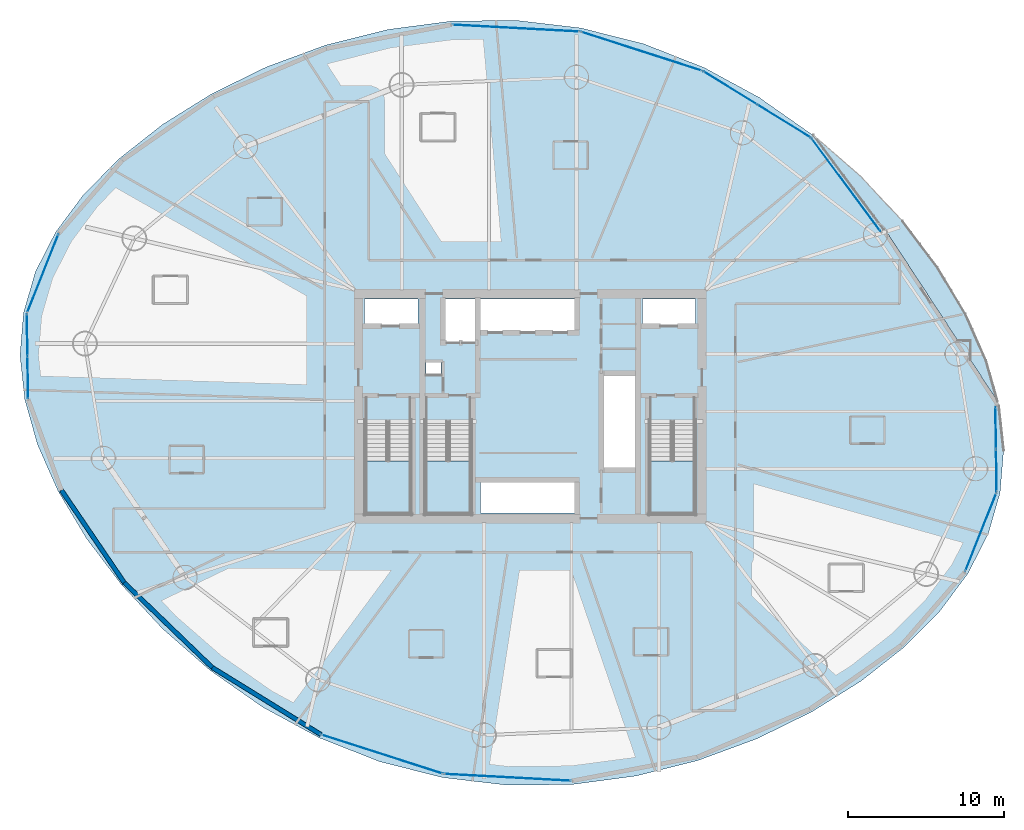
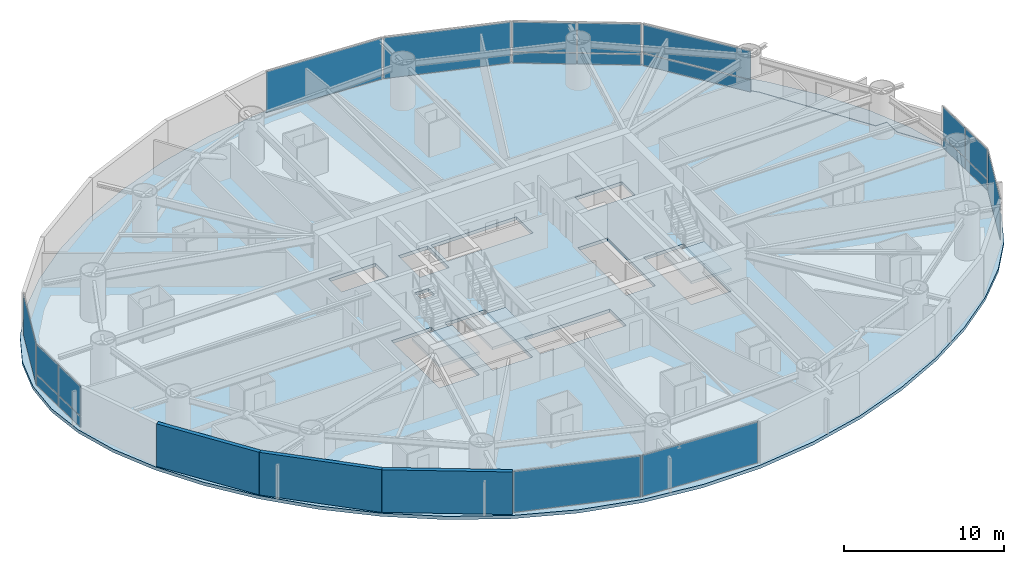
# One storey, part 18 of 26: 20 plates, 5 slabs, 3 walls, 13 elements without a shape of their own.
"""IFC4 building model written with IfcOpenShell, lengths in metres."""

from ifc_helpers import new_model, si_unit, direction, frame, frame_2d, origin, origin_2d, place, context, subcontext, project, spatial, polyline, rectangle, outline, extrude, material, layer, layer_set, type_object, element, aggregate, save


model = new_model("IFC4")

# Units and contexts
model_context = context("Model", 3, precision=1e-05, world=origin(), true_north=direction((0.0, 1.0)))
body_context = subcontext(model_context, "Body", "Model", "MODEL_VIEW")
ifc_project = project(units=[si_unit("LENGTHUNIT", "METRE"), si_unit("AREAUNIT", "SQUARE_METRE"), si_unit("VOLUMEUNIT", "CUBIC_METRE"), si_unit("PLANEANGLEUNIT", "RADIAN"), si_unit("MASSUNIT", "GRAM", prefix="KILO")], contexts=[model_context])

# Site, building, storey
site_placement = place(None, origin())
site = spatial("IfcSite", under=ifc_project, at=site_placement, CompositionType="ELEMENT")
building_placement = place(site_placement, origin())
building = spatial("IfcBuilding", under=site, at=building_placement, Name="Bramvorn Convention Spire", CompositionType="ELEMENT")
storey_placement = place(building_placement, frame((0.0, 0.0, 76.39990234375)))
storey = spatial("IfcBuildingStorey", under=building, at=storey_placement, Name="L17", CompositionType="ELEMENT", Elevation=76.39990234375)

# Curtain wall, plates
ifc_material_1 = material(Name="Anodised Bronze Unitised Curtain Wall", Category="aluminium")
ifc_layer_1 = layer(ifc_material_1, 0.179931640625)
ifc_layer_set_1 = layer_set([ifc_layer_1], Name="Anodised Bronze Unitised Curtain Wall - CW-HTL-FRIT")
curtain_wall_type_1 = type_object("IfcCurtainWallType", Name="CW-HTL-FRIT", PredefinedType="USERDEFINED", material=ifc_layer_set_1)
curtain_wall_1_placement = place(storey_placement, origin())
curtain_wall_1 = element("IfcCurtainWall", 1, at=curtain_wall_1_placement, inside=storey, type_object=curtain_wall_type_1, Name="L17 fritted glass curtain wall 01", ObjectType="UNITISED CURTAIN WALL", PredefinedType="USERDEFINED")
ifc_material_2 = material(Name="Laminated Low-E Glass (Triple IGU Bronze Ceramic Frit 35%)", Category="glass")
ifc_layer_2 = layer(ifc_material_2, 0.035888671875)
ifc_layer_set_2 = layer_set([ifc_layer_2], Name="Laminated Low-E Glass (Triple IGU Bronze Ceramic Frit 35%) - PNL-IGU-1")
plate_type_1 = type_object("IfcPlateType", Name="PNL-IGU-1", PredefinedType="CURTAIN_PANEL", material=ifc_layer_set_2)
plate_1_placement = place(storey_placement, frame((67.81591796875, 24.597412109375, 0.06005859375), z_axis=(0.0, 0.0, 1.0), x_axis=(0.014625127519, -0.999893047103, 0.0)))
plate_1 = element("IfcPlate", 2, at=plate_1_placement, type_object=plate_type_1, Name="CW2 panel 1.1", PredefinedType="CURTAIN_PANEL", context=body_context, shape_type="SweptSolid", body=[
    extrude(rectangle(XDim=2.65869140625, YDim=0.028076171875, at=origin_2d()), origin(), (0.0, 0.0, 1.0), 0.81005859375),
])
plate_2_placement = place(storey_placement, frame((67.81591796875, 24.597412109375, 0.93017578125), z_axis=(0.0, 0.0, 1.0), x_axis=(0.014625127519, -0.999893047103, 0.0)))
plate_2 = element("IfcPlate", 3, at=plate_2_placement, type_object=plate_type_1, Name="CW2 panel 1.2", PredefinedType="CURTAIN_PANEL", context=body_context, shape_type="SweptSolid", body=[
    extrude(rectangle(XDim=2.65869140625, YDim=0.028076171875, at=origin_2d()), origin(), (0.0, 0.0, 1.0), 2.260009765625),
])
plate_3_placement = place(storey_placement, frame((67.855712890625, 21.87890625, 0.06005859375), z_axis=(0.0, 0.0, 1.0), x_axis=(0.014625127519, -0.999893047103, 0.0)))
plate_3 = element("IfcPlate", 4, at=plate_3_placement, type_object=plate_type_1, Name="CW2 panel 2.1", PredefinedType="CURTAIN_PANEL", context=body_context, shape_type="SweptSolid", body=[
    extrude(rectangle(XDim=2.65869140625, YDim=0.028076171875, at=origin_2d()), origin(), (0.0, 0.0, 1.0), 0.81005859375),
])
plate_4_placement = place(storey_placement, frame((67.855712890625, 21.87890625, 0.93017578125), z_axis=(0.0, 0.0, 1.0), x_axis=(0.014625127519, -0.999893047103, 0.0)))
plate_4 = element("IfcPlate", 5, at=plate_4_placement, type_object=plate_type_1, Name="CW2 panel 2.2", PredefinedType="CURTAIN_PANEL", context=body_context, shape_type="SweptSolid", body=[
    extrude(rectangle(XDim=2.65869140625, YDim=0.028076171875, at=origin_2d()), origin(), (0.0, 0.0, 1.0), 2.260009765625),
])
aggregate(curtain_wall_1, [plate_1, plate_2, plate_3, plate_4])

curtain_wall_2_placement = place(storey_placement, origin())
curtain_wall_2 = element("IfcCurtainWall", 6, at=curtain_wall_2_placement, inside=storey, type_object=curtain_wall_type_1, Name="L17 fritted glass curtain wall 05", ObjectType="UNITISED CURTAIN WALL", PredefinedType="USERDEFINED")
plate_5_placement = place(storey_placement, frame((50.801513671875, 46.386474609375, 0.06005859375), z_axis=(0.0, 0.0, 1.0), x_axis=(0.851031590775, -0.525114493708, 0.0)))
plate_5 = element("IfcPlate", 7, at=plate_5_placement, type_object=plate_type_1, Name="CW2 panel 1.1", PredefinedType="CURTAIN_PANEL", context=body_context, shape_type="SweptSolid", body=[
    extrude(rectangle(XDim=3.995361328125, YDim=0.028076171875, at=origin_2d()), origin(), (0.0, 0.0, 1.0), 0.81005859375),
])
plate_6_placement = place(storey_placement, frame((50.801513671875, 46.386474609375, 0.93017578125), z_axis=(0.0, 0.0, 1.0), x_axis=(0.851031590775, -0.525114493708, 0.0)))
plate_6 = element("IfcPlate", 8, at=plate_6_placement, type_object=plate_type_1, Name="CW2 panel 1.2", PredefinedType="CURTAIN_PANEL", context=body_context, shape_type="SweptSolid", body=[
    extrude(rectangle(XDim=3.995361328125, YDim=0.028076171875, at=origin_2d()), origin(), (0.0, 0.0, 1.0), 2.260009765625),
])
plate_7_placement = place(storey_placement, frame((54.2529296875, 44.2568359375, 0.06005859375), z_axis=(0.0, 0.0, 1.0), x_axis=(0.851031590775, -0.525114493708, 0.0)))
plate_7 = element("IfcPlate", 9, at=plate_7_placement, type_object=plate_type_1, Name="CW2 panel 2.1", PredefinedType="CURTAIN_PANEL", context=body_context, shape_type="SweptSolid", body=[
    extrude(rectangle(XDim=3.995361328125, YDim=0.028076171875, at=origin_2d()), origin(), (0.0, 0.0, 1.0), 0.81005859375),
])
plate_8_placement = place(storey_placement, frame((54.2529296875, 44.2568359375, 0.93017578125), z_axis=(0.0, 0.0, 1.0), x_axis=(0.851031590775, -0.525114493708, 0.0)))
plate_8 = element("IfcPlate", 10, at=plate_8_placement, type_object=plate_type_1, Name="CW2 panel 2.2", PredefinedType="CURTAIN_PANEL", context=body_context, shape_type="SweptSolid", body=[
    extrude(rectangle(XDim=3.995361328125, YDim=0.028076171875, at=origin_2d()), origin(), (0.0, 0.0, 1.0), 2.260009765625),
])
aggregate(curtain_wall_2, [plate_5, plate_6, plate_7, plate_8])

# Curtain wall, plate
curtain_wall_3_placement = place(storey_placement, origin())
curtain_wall_3 = element("IfcCurtainWall", 11, at=curtain_wall_3_placement, inside=storey, type_object=curtain_wall_type_1, Name="L17 fritted glass curtain wall 06", ObjectType="UNITISED CURTAIN WALL", PredefinedType="USERDEFINED")
plate_9_placement = place(storey_placement, frame((45.127197265625, 48.72705078125, 0.06005859375), z_axis=(0.0, 0.0, 1.0), x_axis=(0.952091791886, -0.305812393181, 0.0)))
plate_9 = element("IfcPlate", 12, at=plate_9_placement, type_object=plate_type_1, Name="CW2 panel 1.1", PredefinedType="CURTAIN_PANEL", context=body_context, shape_type="SweptSolid", body=[
    extrude(rectangle(XDim=8.121337890625, YDim=0.028076171875, at=origin_2d()), origin(), (0.0, 0.0, 1.0), 3.1298828125),
])
aggregate(curtain_wall_3, [plate_9])

curtain_wall_4_placement = place(storey_placement, origin())
curtain_wall_4 = element("IfcCurtainWall", 13, at=curtain_wall_4_placement, inside=storey, type_object=curtain_wall_type_1, Name="L17 fritted glass curtain wall 07", ObjectType="UNITISED CURTAIN WALL", PredefinedType="USERDEFINED")
plate_10_placement = place(storey_placement, frame((37.089111328125, 50.20947265625, 0.06005859375), z_axis=(0.0, 0.0, 1.0), x_axis=(0.998543139222, -0.053959235663, 0.0)))
plate_10 = element("IfcPlate", 14, at=plate_10_placement, type_object=plate_type_1, Name="CW2 panel 1.1", PredefinedType="CURTAIN_PANEL", context=body_context, shape_type="SweptSolid", body=[
    extrude(rectangle(XDim=8.121337890625, YDim=0.028076171875, at=origin_2d()), origin(), (0.0, 0.0, 1.0), 3.1298828125),
])
aggregate(curtain_wall_4, [plate_10])

curtain_wall_5_placement = place(storey_placement, origin())
curtain_wall_5 = element("IfcCurtainWall", 15, at=curtain_wall_5_placement, inside=storey, type_object=curtain_wall_type_1, Name="L17 fritted glass curtain wall 12", ObjectType="UNITISED CURTAIN WALL", PredefinedType="USERDEFINED")
plate_11_placement = place(storey_placement, frame((6.78173828125, 34.498779296875, 0.06005859375), z_axis=(0.0, 0.0, 1.0), x_axis=(0.370361735497, 0.928887606161, 0.0)))
plate_11 = element("IfcPlate", 16, at=plate_11_placement, type_object=plate_type_1, Name="CW2 panel 1.1", PredefinedType="CURTAIN_PANEL", context=body_context, shape_type="SweptSolid", body=[
    extrude(rectangle(XDim=5.37744140625, YDim=0.028076171875, at=origin_2d()), origin(), (0.0, 0.0, 1.0), 3.1298828125),
])
aggregate(curtain_wall_5, [plate_11])

# Curtain wall, plates
curtain_wall_6_placement = place(storey_placement, origin())
curtain_wall_6 = element("IfcCurtainWall", 17, at=curtain_wall_6_placement, inside=storey, type_object=curtain_wall_type_1, Name="L17 fritted glass curtain wall 13", ObjectType="UNITISED CURTAIN WALL", PredefinedType="USERDEFINED")
plate_12_placement = place(storey_placement, frame((5.82373046875, 27.837890625, 0.06005859375), z_axis=(0.0, 0.0, 1.0), x_axis=(-0.014624861525, 0.999893050994, 0.0)))
plate_12 = element("IfcPlate", 18, at=plate_12_placement, type_object=plate_type_1, Name="CW2 panel 1.1", PredefinedType="CURTAIN_PANEL", context=body_context, shape_type="SweptSolid", body=[
    extrude(rectangle(XDim=2.65869140625, YDim=0.028076171875, at=origin_2d()), origin(), (0.0, 0.0, 1.0), 0.81005859375),
])
plate_13_placement = place(storey_placement, frame((5.82373046875, 27.837890625, 0.93017578125), z_axis=(0.0, 0.0, 1.0), x_axis=(-0.014624861525, 0.999893050994, 0.0)))
plate_13 = element("IfcPlate", 19, at=plate_13_placement, type_object=plate_type_1, Name="CW2 panel 1.2", PredefinedType="CURTAIN_PANEL", context=body_context, shape_type="SweptSolid", body=[
    extrude(rectangle(XDim=2.65869140625, YDim=0.028076171875, at=origin_2d()), origin(), (0.0, 0.0, 1.0), 2.260009765625),
])
plate_14_placement = place(storey_placement, frame((5.783935546875, 30.556396484375, 0.06005859375), z_axis=(0.0, 0.0, 1.0), x_axis=(-0.014624861525, 0.999893050994, 0.0)))
plate_14 = element("IfcPlate", 20, at=plate_14_placement, type_object=plate_type_1, Name="CW2 panel 2.1", PredefinedType="CURTAIN_PANEL", context=body_context, shape_type="SweptSolid", body=[
    extrude(rectangle(XDim=2.65869140625, YDim=0.028076171875, at=origin_2d()), origin(), (0.0, 0.0, 1.0), 0.81005859375),
])
plate_15_placement = place(storey_placement, frame((5.783935546875, 30.556396484375, 0.93017578125), z_axis=(0.0, 0.0, 1.0), x_axis=(-0.014624861525, 0.999893050994, 0.0)))
plate_15 = element("IfcPlate", 21, at=plate_15_placement, type_object=plate_type_1, Name="CW2 panel 2.2", PredefinedType="CURTAIN_PANEL", context=body_context, shape_type="SweptSolid", body=[
    extrude(rectangle(XDim=2.65869140625, YDim=0.028076171875, at=origin_2d()), origin(), (0.0, 0.0, 1.0), 2.260009765625),
])
aggregate(curtain_wall_6, [plate_12, plate_13, plate_14, plate_15])

# Curtain wall, plate
curtain_wall_7_placement = place(storey_placement, origin())
curtain_wall_7 = element("IfcCurtainWall", 22, at=curtain_wall_7_placement, inside=storey, type_object=curtain_wall_type_1, Name="L17 fritted glass curtain wall 18", ObjectType="UNITISED CURTAIN WALL", PredefinedType="USERDEFINED")
plate_16_placement = place(storey_placement, frame((28.5126953125, 3.708251953125, 0.06005859375), z_axis=(0.0, 0.0, 1.0), x_axis=(-0.952095324782, 0.305801393929, 0.0)))
plate_16 = element("IfcPlate", 23, at=plate_16_placement, type_object=plate_type_1, Name="CW2 panel 1.1", PredefinedType="CURTAIN_PANEL", context=body_context, shape_type="SweptSolid", body=[
    extrude(rectangle(XDim=8.121337890625, YDim=0.028076171875, at=origin_2d()), origin(), (0.0, 0.0, 1.0), 3.1298828125),
])
aggregate(curtain_wall_7, [plate_16])

curtain_wall_8_placement = place(storey_placement, origin())
curtain_wall_8 = element("IfcCurtainWall", 24, at=curtain_wall_8_placement, inside=storey, type_object=curtain_wall_type_1, Name="L17 fritted glass curtain wall 19", ObjectType="UNITISED CURTAIN WALL", PredefinedType="USERDEFINED")
plate_17_placement = place(storey_placement, frame((36.550537109375, 2.225830078125, 0.06005859375), z_axis=(0.0, 0.0, 1.0), x_axis=(-0.998542485369, 0.05397133417, 0.0)))
plate_17 = element("IfcPlate", 25, at=plate_17_placement, type_object=plate_type_1, Name="CW2 panel 1.1", PredefinedType="CURTAIN_PANEL", context=body_context, shape_type="SweptSolid", body=[
    extrude(rectangle(XDim=8.121337890625, YDim=0.028076171875, at=origin_2d()), origin(), (0.0, 0.0, 1.0), 3.1298828125),
])
aggregate(curtain_wall_8, [plate_17])

curtain_wall_9_placement = place(storey_placement, origin())
curtain_wall_9 = element("IfcCurtainWall", 26, at=curtain_wall_9_placement, inside=storey, type_object=curtain_wall_type_1, Name="L17 fritted glass curtain wall 24", ObjectType="UNITISED CURTAIN WALL", PredefinedType="USERDEFINED")
plate_18_placement = place(storey_placement, frame((66.858154296875, 17.9365234375, 0.06005859375), z_axis=(0.0, 0.0, 1.0), x_axis=(-0.370355477567, -0.928890101269, 0.0)))
plate_18 = element("IfcPlate", 27, at=plate_18_placement, type_object=plate_type_1, Name="CW2 panel 1.1", PredefinedType="CURTAIN_PANEL", context=body_context, shape_type="SweptSolid", body=[
    extrude(rectangle(XDim=5.37744140625, YDim=0.028076171875, at=origin_2d()), origin(), (0.0, 0.0, 1.0), 3.1298828125),
])
aggregate(curtain_wall_9, [plate_18])

# Curtain wall, plates
ifc_layer_3 = layer(ifc_material_1, 0.219970703125)
ifc_layer_set_3 = layer_set([ifc_layer_3], Name="Anodised Bronze Unitised Curtain Wall - CW-SKYGARDEN")
curtain_wall_type_2 = type_object("IfcCurtainWallType", Name="CW-SKYGARDEN", PredefinedType="USERDEFINED", material=ifc_layer_set_3)
curtain_wall_10_placement = place(storey_placement, origin())
curtain_wall_10 = element("IfcCurtainWall", 28, at=curtain_wall_10_placement, inside=storey, type_object=curtain_wall_type_2, Name="L17 Sky Garden glazed facade 04", ObjectType="WINTER GARDEN GLAZING", PredefinedType="USERDEFINED")
ifc_material_3 = material(Name="Laminated Low-E Glass (Acoustic Laminated Podium Triple IGU)", Category="glass")
ifc_layer_4 = layer(ifc_material_3, 0.0458984375)
ifc_layer_set_4 = layer_set([ifc_layer_4], Name="Laminated Low-E Glass (Acoustic Laminated Podium Triple IGU) - PNL-IGU-5")
plate_type_2 = type_object("IfcPlateType", Name="PNL-IGU-5", PredefinedType="CURTAIN_PANEL", material=ifc_layer_set_4)
plate_19_placement = place(storey_placement, frame((58.22900390625, 40.17578125, 0.06005859375), z_axis=(0.0, 0.0, 1.0), x_axis=(0.595626338012, -0.803261641974, 0.0)))
plate_19 = element("IfcPlate", 29, at=plate_19_placement, type_object=plate_type_2, Name="CW4 panel 1.1", PredefinedType="CURTAIN_PANEL", context=body_context, shape_type="SweptSolid", body=[
    extrude(rectangle(XDim=7.350830078125, YDim=0.028076171875, at=origin_2d()), origin(), (0.0, 0.0, 1.0), 0.909912109375),
])
plate_20_placement = place(storey_placement, frame((58.22900390625, 40.17578125, 1.0302734375), z_axis=(0.0, 0.0, 1.0), x_axis=(0.595626338012, -0.803261641974, 0.0)))
plate_20 = element("IfcPlate", 30, at=plate_20_placement, type_object=plate_type_2, Name="CW4 panel 1.2", PredefinedType="CURTAIN_PANEL", context=body_context, shape_type="SweptSolid", body=[
    extrude(rectangle(XDim=7.350830078125, YDim=0.028076171875, at=origin_2d()), origin(), (0.0, 0.0, 1.0), 2.159912109375),
])
aggregate(curtain_wall_10, [plate_19, plate_20])

# Slab
ifc_material_4 = material(Name="Concrete C40/50 Sky-Garden Terrace Slab", Category="concrete")
ifc_layer_5 = layer(ifc_material_4, 0.260009765625)
ifc_layer_set_5 = layer_set([ifc_layer_5], Name="Concrete C40/50 Sky-Garden Terrace Slab - SLB-SKYGARDEN-260")
slab_type_1 = type_object("IfcSlabType", Name="SLB-SKYGARDEN-260", PredefinedType="FLOOR", material=ifc_layer_set_5)
slab_1_placement = place(storey_placement, frame((0.0, 0.0, -0.260009765625)))
element("IfcSlab", 31, at=slab_1_placement, inside=storey, type_object=slab_type_1, Name="L17 planted double-height Sky Garden terrace slab", PredefinedType="FLOOR", context=body_context, shape_type="SweptSolid", body=[
    extrude(outline(polyline([(60.963623046875, 36.973388671875), (60.965087890625, 36.942138671875), (65.38330078125, 30.2001953125), (66.197021484375, 30.19580078125), (66.198486328125, 28.952392578125), (67.927490234375, 26.307373046875), (67.19189453125, 28.9130859375), (65.870361328125, 31.890625), (64.07373046875, 34.891357421875), (61.83154296875, 37.854736328125), (59.1767578125, 40.703857421875), (56.148193359375, 43.351318359375), (60.643798828125, 37.30517578125), (60.963623046875, 36.973388671875)])), origin(), (0.0, 0.0, 1.0), 0.260009765625),
])

# Stair, slab
ifc_material_5 = material(Name="Concrete C40/50 Precast Stair", Category="concrete")
stair_type = type_object("IfcStairType", Name="ST-TOWER-1550", PredefinedType="HALF_TURN_STAIR", material=ifc_material_5)
stair_1_placement = place(storey_placement, origin())
stair_1 = element("IfcStair", 32, at=stair_1_placement, inside=storey, type_object=stair_type, Name="L17 Protected Exit Stair ST1", PredefinedType="HALF_TURN_STAIR")
ifc_material_6 = material(Name="Concrete C40/50 Stair Landing", Category="concrete")
ifc_layer_6 = layer(ifc_material_6, 0.219970703125)
ifc_layer_set_6 = layer_set([ifc_layer_6], Name="Concrete C40/50 Stair Landing - SLB-STAIR-LANDING")
slab_type_2 = type_object("IfcSlabType", Name="SLB-STAIR-LANDING", PredefinedType="LANDING", material=ifc_layer_set_6)
slab_2_placement = place(storey_placement, frame((0.0, 0.0, 1.550048828125)))
slab_2 = element("IfcSlab", 33, at=slab_2_placement, type_object=slab_type_2, Name="ST1 landing 1", PredefinedType="LANDING", context=body_context, shape_type="SweptSolid", body=[
    extrude(outline(polyline([(27.449951171875, 22.485107421875), (27.449951171875, 19.10009765625), (30.35009765625, 19.10009765625), (30.35009765625, 22.485107421875), (27.449951171875, 22.485107421875)])), origin(), (0.0, 0.0, 1.0), 0.199951171875),
])
aggregate(stair_1, [slab_2])

stair_2_placement = place(storey_placement, origin())
stair_2 = element("IfcStair", 34, at=stair_2_placement, inside=storey, type_object=stair_type, Name="L17 Protected Exit Stair ST2", PredefinedType="HALF_TURN_STAIR")
slab_3_placement = place(storey_placement, frame((0.0, 0.0, 1.550048828125)))
slab_3 = element("IfcSlab", 35, at=slab_3_placement, type_object=slab_type_2, Name="ST2 landing 1", PredefinedType="LANDING", context=body_context, shape_type="SweptSolid", body=[
    extrude(outline(polyline([(45.64990234375, 22.485107421875), (45.64990234375, 19.10009765625), (48.550048828125, 19.10009765625), (48.550048828125, 22.485107421875), (45.64990234375, 22.485107421875)])), origin(), (0.0, 0.0, 1.0), 0.199951171875),
])
aggregate(stair_2, [slab_3])

stair_3_placement = place(storey_placement, origin())
stair_3 = element("IfcStair", 36, at=stair_3_placement, inside=storey, type_object=stair_type, Name="L17 Protected Exit Stair ST3", PredefinedType="HALF_TURN_STAIR")
slab_4_placement = place(storey_placement, frame((0.0, 0.0, 1.550048828125)))
slab_4 = element("IfcSlab", 37, at=slab_4_placement, type_object=slab_type_2, Name="ST3 landing 1", PredefinedType="LANDING", context=body_context, shape_type="SweptSolid", body=[
    extrude(outline(polyline([(31.300048828125, 22.485107421875), (31.300048828125, 19.10009765625), (34.199951171875, 19.10009765625), (34.199951171875, 22.485107421875), (31.300048828125, 22.485107421875)])), origin(), (0.0, 0.0, 1.0), 0.199951171875),
])
aggregate(stair_3, [slab_4])

# Slab
ifc_material_7 = material(Name="Concrete C50/60", Category="concrete")
ifc_layer_7 = layer(ifc_material_7, 0.25)
ifc_layer_set_7 = layer_set([ifc_layer_7], Name="Concrete C50/60 - SLB-Z1-250")
slab_type_3 = type_object("IfcSlabType", Name="SLB-Z1-250", PredefinedType="FLOOR", material=ifc_layer_set_7)
slab_5_placement = place(storey_placement, frame((0.0, 0.0, -0.25)))
element("IfcSlab", 38, at=slab_5_placement, inside=storey, type_object=slab_type_3, Name="L17 tower floor slab", PredefinedType="FLOOR", context=body_context, shape_type="SweptSolid", body=[
    extrude(outline(polyline([(67.331298828125, 17.822509765625), (66.039306640625, 15.29248046875), (64.23193359375, 12.86474609375), (61.93505859375, 10.554443359375), (59.186279296875, 8.39208984375), (56.034423828125, 6.423583984375), (52.5380859375, 4.708984375), (48.76416015625, 3.31640625), (44.7861328125, 2.3154296875), (40.68017578125, 1.769775390625), (36.523681640625, 1.72705078125), (32.392822265625, 2.214599609375), (28.35986328125, 3.23291015625), (24.4921875, 4.75537109375), (20.85107421875, 6.72998046875), (17.49169921875, 9.083984375), (14.462890625, 11.7314453125), (11.808349609375, 14.58056640625), (9.56591796875, 17.5439453125), (7.76953125, 20.544677734375), (6.447998046875, 23.522216796875), (5.62548828125, 26.435302734375), (5.3212890625, 29.25927734375), (5.54736328125, 31.985595703125), (6.30859375, 34.61279296875), (7.600341796875, 37.142578125), (9.40771484375, 39.570556640625), (11.70458984375, 41.880859375), (14.453369140625, 44.043212890625), (17.60546875, 46.01171875), (21.101806640625, 47.726318359375), (24.87548828125, 49.118896484375), (28.853759765625, 50.119873046875), (32.959716796875, 50.66552734375), (37.1162109375, 50.708251953125), (41.2470703125, 50.220703125), (45.27978515625, 49.202392578125), (49.147705078125, 47.679931640625), (52.788818359375, 45.705322265625), (52.80517578125, 45.69384765625), (52.777099609375, 45.68896484375), (56.134033203125, 43.336669921875), (58.4609375, 40.238525390625), (60.237060546875, 37.810302734375), (60.261962890625, 37.810302734375), (60.635986328125, 37.298583984375), (60.955078125, 36.968017578125), (60.955078125, 36.939208984375), (65.377685546875, 30.190185546875), (66.188720703125, 30.190185546875), (66.188720703125, 28.949462890625), (67.936767578125, 26.275146484375), (68.014404296875, 26.0), (68.318603515625, 23.176025390625), (68.092529296875, 20.449951171875), (67.331298828125, 17.822509765625)]), holes=[polyline([(27.449951171875, 25.050048828125), (27.449951171875, 19.10009765625), (30.35009765625, 19.10009765625), (30.35009765625, 25.050048828125), (27.449951171875, 25.050048828125)]), polyline([(45.64990234375, 25.050048828125), (45.64990234375, 19.10009765625), (48.550048828125, 19.10009765625), (48.550048828125, 25.050048828125), (45.64990234375, 25.050048828125)]), polyline([(31.300048828125, 25.050048828125), (31.300048828125, 19.10009765625), (34.199951171875, 19.10009765625), (34.199951171875, 25.050048828125), (31.300048828125, 25.050048828125)]), polyline([(27.39990234375, 31.219970703125), (30.800048828125, 31.219970703125), (30.800048828125, 32.85009765625), (27.39990234375, 32.85009765625), (27.39990234375, 31.219970703125)]), polyline([(45.199951171875, 31.219970703125), (48.60009765625, 31.219970703125), (48.60009765625, 32.85009765625), (45.199951171875, 32.85009765625), (45.199951171875, 31.219970703125)]), polyline([(32.449951171875, 30.14990234375), (34.56005859375, 30.14990234375), (34.56005859375, 32.85009765625), (32.449951171875, 32.85009765625), (32.449951171875, 30.14990234375)]), polyline([(34.800048828125, 30.800048828125), (40.97998046875, 30.800048828125), (40.97998046875, 32.85009765625), (34.800048828125, 32.85009765625), (34.800048828125, 30.800048828125)]), polyline([(34.800048828125, 19.14990234375), (40.97998046875, 19.14990234375), (40.97998046875, 21.199951171875), (34.800048828125, 21.199951171875), (34.800048828125, 19.14990234375)]), polyline([(42.6201171875, 22.0), (44.75, 22.0), (44.75, 28.0), (42.6201171875, 28.0), (42.6201171875, 22.0)]), polyline([(31.320068359375, 28.02001953125), (32.280029296875, 28.02001953125), (32.280029296875, 28.820068359375), (31.320068359375, 28.820068359375), (31.320068359375, 28.02001953125)])]), origin(), (0.0, 0.0, 1.0), 0.25),
])

# Walls
ifc_material_8 = material(Name="Precast Concrete C40/50 with Bronze Terracotta Rainscreen", Category="masonry")
ifc_layer_8 = layer(ifc_material_8, 0.300048828125)
ifc_layer_set_8 = layer_set([ifc_layer_8], Name="Precast Concrete C40/50 with Bronze Terracotta Rainscreen - WL-EXT-BRONZE-300")
wall_type = type_object("IfcWallType", Name="WL-EXT-BRONZE-300", PredefinedType="SOLIDWALL", material=ifc_layer_set_8)
wall_1_placement = place(storey_placement, frame((11.989501953125, 14.705322265625, 0.0), z_axis=(0.0, 0.0, 1.0), x_axis=(-0.561880829093, 0.827218190019, 0.0)))
element("IfcWall", 39, at=wall_1_placement, inside=storey, type_object=wall_type, Name="L17 expressed bronze Gothic lancet pier wall 15", PredefinedType="SOLIDWALL", context=body_context, shape_type="SweptSolid", body=[
    extrude(rectangle(XDim=7.142822265625, YDim=0.280029296875, at=frame_2d((3.5712890625, 0.0))), origin(), (0.0, 0.0, 1.0), 3.25),
])
wall_2_placement = place(storey_placement, frame((17.6357421875, 9.259033203125, 0.0), z_axis=(0.0, 0.0, 1.0), x_axis=(-0.719735990423, 0.694247869345, 0.0)))
element("IfcWall", 40, at=wall_2_placement, inside=storey, type_object=wall_type, Name="L17 expressed bronze Gothic lancet pier wall 16", PredefinedType="SOLIDWALL", context=body_context, shape_type="SweptSolid", body=[
    extrude(rectangle(XDim=7.844970703125, YDim=0.280029296875, at=frame_2d((3.92236328125, 0.0))), origin(), (0.0, 0.0, 1.0), 3.25),
])
wall_3_placement = place(storey_placement, frame((24.58935546875, 4.968505859375, 0.0), z_axis=(0.0, 0.0, 1.0), x_axis=(-0.8510360128, 0.525107327047, 0.0)))
element("IfcWall", 41, at=wall_3_placement, inside=storey, type_object=wall_type, Name="L17 expressed bronze Gothic lancet pier wall 17", PredefinedType="SOLIDWALL", context=body_context, shape_type="SweptSolid", body=[
    extrude(rectangle(XDim=8.170654296875, YDim=0.280029296875, at=frame_2d((4.08544921875, 0.0))), origin(), (0.0, 0.0, 1.0), 3.25),
])

save(model, "model.ifc")
